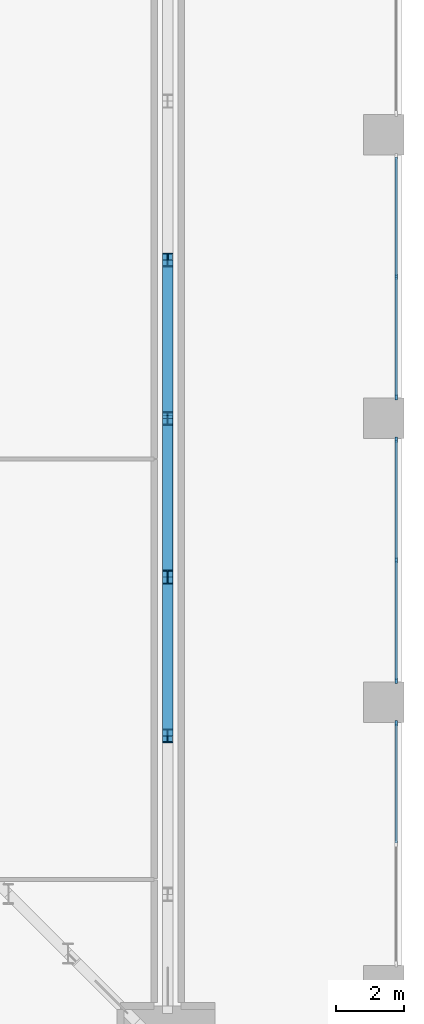
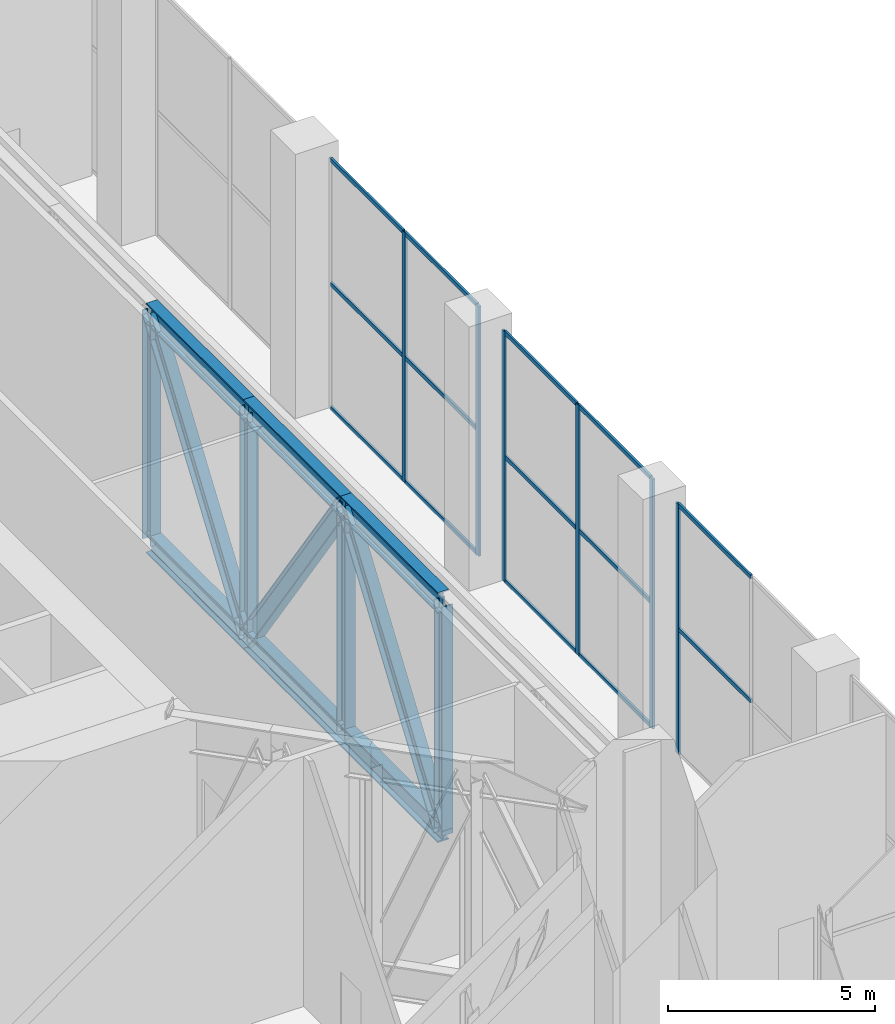
# One storey, part 6 of 21: 33 members, 3 elements without a shape of their own.
"""IFC4 building model written with IfcOpenShell, lengths in metres."""

from ifc_helpers import new_model, si_unit, direction, frame, origin, origin_2d, place, context, subcontext, project, spatial, rectangle, i_section, extrude, material, material_profile, profile_set, type_object, element, aggregate, save


model = new_model("IFC4")

# Units and contexts
model_context = context("Model", 3, precision=1e-05, world=origin(), true_north=direction((0.0, 1.0)))
body_context = subcontext(model_context, "Body", "Model", "MODEL_VIEW")
ifc_project = project(units=[si_unit("LENGTHUNIT", "METRE"), si_unit("AREAUNIT", "SQUARE_METRE"), si_unit("VOLUMEUNIT", "CUBIC_METRE"), si_unit("PLANEANGLEUNIT", "RADIAN"), si_unit("MASSUNIT", "GRAM", prefix="KILO")], contexts=[model_context])

# Site, building, storey
site_placement = place(None, origin())
site = spatial("IfcSite", under=ifc_project, at=site_placement, CompositionType="ELEMENT")
building_placement = place(site_placement, origin())
building = spatial("IfcBuilding", under=site, at=building_placement, Name="Khepri Terraces", CompositionType="ELEMENT")
storey_placement = place(building_placement, frame((0.0, 0.0, 126.0)))
storey = spatial("IfcBuildingStorey", under=building, at=storey_placement, Name="L30", CompositionType="ELEMENT", Elevation=126.0)

# Members
ifc_material_1 = material(Name="Steel S355", Category="steel")
ifc_material_profile_1 = material_profile(ifc_material_1, i_section(OverallWidth=0.304931640625, OverallDepth=0.6201171875, WebThickness=0.02099609375, FlangeThickness=0.0400390625, FilletRadius=0.027099609375, at=origin_2d()), Name="Steel S355", Category="steel")
ifc_profile_set_1 = profile_set([ifc_material_profile_1], Name="Steel S355")
member_type_1 = type_object("IfcMemberType", Name="Belt truss chord HEM 600", PredefinedType="CHORD", material=ifc_profile_set_1)
for number, where, z_axis, x_axis, name in (
    (1, (18.800048828125, -9.39990234375, 0.31005859375), (0.0, 1.0, 0.0), (-1.0, 0.0, 0.0), "Belt truss chord BT-30-E bottom 3"),
    (2, (18.800048828125, -9.39990234375, 7.070068359375), (0.0, 1.0, 0.0), (-1.0, 0.0, 0.0), "Belt truss chord BT-30-E top 3"),
    (3, (18.800048828125, -4.699951171875, 0.31005859375), (0.0, 1.0, 0.0), (-1.0, 0.0, 0.0), "Belt truss chord BT-30-E bottom 4"),
    (4, (18.800048828125, -4.699951171875, 7.070068359375), (0.0, 1.0, 0.0), (-1.0, 0.0, 0.0), "Belt truss chord BT-30-E top 4"),
    (5, (18.800048828125, 0.0, 0.31005859375), (0.0, 1.0, 0.0), (-1.0, 0.0, 0.0), "Belt truss chord BT-30-E bottom 5"),
    (6, (18.800048828125, 0.0, 7.070068359375), (0.0, 1.0, 0.0), (-1.0, 0.0, 0.0), "Belt truss chord BT-30-E top 5"),
):
    element("IfcMember", number, at=place(storey_placement, frame(where, z_axis=z_axis, x_axis=x_axis)), inside=storey, type_object=member_type_1, Name=name, PredefinedType="CHORD", context=body_context, shape_type="SweptSolid", body=[
        extrude(i_section(OverallWidth=0.304931640625, OverallDepth=0.6201171875, WebThickness=0.02099609375, FlangeThickness=0.0400390625, FilletRadius=0.027099609375, at=origin_2d()), origin(), (0.0, 0.0, 1.0), 4.699951171875),
    ])
ifc_material_profile_2 = material_profile(ifc_material_1, i_section(OverallWidth=0.300048828125, OverallDepth=0.5, WebThickness=0.014404296875, FlangeThickness=0.028076171875, FilletRadius=0.027099609375, at=origin_2d()), Name="Steel S355", Category="steel")
ifc_profile_set_2 = profile_set([ifc_material_profile_2], Name="Steel S355")
member_type_2 = type_object("IfcMemberType", Name="Belt truss diagonal HEB 500", PredefinedType="BRACE", material=ifc_profile_set_2)
for number, where, z_axis, x_axis, name in (
    (7, (18.800048828125, -9.39990234375, 0.31005859375), (0.0, 0.570846397071, 0.82105687437), (-1.0, 0.0, 0.0), "Belt truss diagonal BT-30-E 3"),
    (8, (18.800048828125, -4.699951171875, 7.070068359375), (0.0, 0.570846397071, -0.82105687437), (-1.0, 0.0, 0.0), "Belt truss diagonal BT-30-E 4"),
    (9, (18.800048828125, 0.0, 0.31005859375), (0.0, 0.570846397071, 0.82105687437), (-1.0, 0.0, 0.0), "Belt truss diagonal BT-30-E 5"),
):
    element("IfcMember", number, at=place(storey_placement, frame(where, z_axis=z_axis, x_axis=x_axis)), inside=storey, type_object=member_type_2, Name=name, PredefinedType="BRACE", context=body_context, shape_type="SweptSolid", body=[
        extrude(i_section(OverallWidth=0.300048828125, OverallDepth=0.5, WebThickness=0.014404296875, FlangeThickness=0.028076171875, FilletRadius=0.027099609375, at=origin_2d()), origin(), (0.0, 0.0, 1.0), 8.2333984375),
    ])
ifc_material_profile_3 = material_profile(ifc_material_1, i_section(OverallWidth=0.300048828125, OverallDepth=0.39990234375, WebThickness=0.013427734375, FlangeThickness=0.02392578125, FilletRadius=0.027099609375, at=origin_2d()), Name="Steel S355", Category="steel")
ifc_profile_set_3 = profile_set([ifc_material_profile_3], Name="Steel S355")
member_type_3 = type_object("IfcMemberType", Name="Belt truss post HEB 400", PredefinedType="POST", material=ifc_profile_set_3)
for number, where, z_axis, x_axis, name in (
    (10, (18.800048828125, -9.39990234375, 0.31005859375), (0.0, 0.0, 1.0), (1.0, 0.0, 0.0), "Belt truss post BT-30-E 2"),
    (11, (18.800048828125, -4.699951171875, 0.31005859375), (0.0, 0.0, 1.0), (1.0, 0.0, 0.0), "Belt truss post BT-30-E 3"),
    (12, (18.800048828125, 0.0, 0.31005859375), (0.0, 0.0, 1.0), (1.0, 0.0, 0.0), "Belt truss post BT-30-E 4"),
    (13, (18.800048828125, 4.699951171875, 0.31005859375), (0.0, 0.0, 1.0), (1.0, 0.0, 0.0), "Belt truss post BT-30-E 5"),
):
    element("IfcMember", number, at=place(storey_placement, frame(where, z_axis=z_axis, x_axis=x_axis)), inside=storey, type_object=member_type_3, Name=name, PredefinedType="POST", context=body_context, shape_type="SweptSolid", body=[
        extrude(i_section(OverallWidth=0.300048828125, OverallDepth=0.39990234375, WebThickness=0.013427734375, FlangeThickness=0.02392578125, FilletRadius=0.027099609375, at=origin_2d()), origin(), (0.0, 0.0, 1.0), 6.760009765625),
    ])

# Curtain wall, member
ifc_material_2 = material(Name="Anodised aluminium bronze curtain wall", Category="aluminium")
curtain_wall_type = type_object("IfcCurtainWallType", Name="CW-SYS3-SKY", PredefinedType="NOTDEFINED", material=ifc_material_2)
curtain_wall_1_placement = place(storey_placement, origin())
curtain_wall_1 = element("IfcCurtainWall", 14, at=curtain_wall_1_placement, inside=storey, type_object=curtain_wall_type, Name="Curtain wall CW3 L30 E", PredefinedType="NOTDEFINED")
ifc_material_3 = material(Name="Anodised aluminium bronze", Category="aluminium")
ifc_material_profile_4 = material_profile(ifc_material_3, rectangle(XDim=0.06005859375, YDim=0.159912109375, at=origin_2d()), Name="Anodised aluminium bronze", Category="aluminium")
ifc_profile_set_4 = profile_set([ifc_material_profile_4], Name="Anodised aluminium bronze")
member_type_4 = type_object("IfcMemberType", Name="CW-MULLION-60x160", PredefinedType="MULLION", material=ifc_profile_set_4)
member_1_placement = place(storey_placement, frame((25.570068359375, -9.030029296875, 0.0), z_axis=(0.0, 0.0, 1.0), x_axis=(-1.0, 0.0, 0.0)))
member_1 = element("IfcMember", 15, at=member_1_placement, type_object=member_type_4, Name="CW3 mullion 3", PredefinedType="MULLION", context=body_context, shape_type="SweptSolid", body=[
    extrude(rectangle(XDim=0.06005859375, YDim=0.159912109375, at=origin_2d()), origin(), (0.0, 0.0, 1.0), 7.3798828125),
])

# Curtain wall, members
curtain_wall_2_placement = place(storey_placement, origin())
curtain_wall_2 = element("IfcCurtainWall", 16, at=curtain_wall_2_placement, inside=storey, type_object=curtain_wall_type, Name="Curtain wall CW3 L30 E", PredefinedType="NOTDEFINED")
member_2_placement = place(storey_placement, frame((25.570068359375, -7.77001953125, 0.0), z_axis=(0.0, 0.0, 1.0), x_axis=(-1.0, 0.0, 0.0)))
member_2 = element("IfcMember", 17, at=member_2_placement, type_object=member_type_4, Name="CW3 mullion 1", PredefinedType="MULLION", context=body_context, shape_type="SweptSolid", body=[
    extrude(rectangle(XDim=0.06005859375, YDim=0.159912109375, at=origin_2d()), origin(), (0.0, 0.0, 1.0), 7.3798828125),
])
member_3_placement = place(storey_placement, frame((25.570068359375, -4.199951171875, 0.0), z_axis=(0.0, 0.0, 1.0), x_axis=(-1.0, 0.0, 0.0)))
member_3 = element("IfcMember", 18, at=member_3_placement, type_object=member_type_4, Name="CW3 mullion 2", PredefinedType="MULLION", context=body_context, shape_type="SweptSolid", body=[
    extrude(rectangle(XDim=0.06005859375, YDim=0.159912109375, at=origin_2d()), origin(), (0.0, 0.0, 1.0), 7.3798828125),
])
member_4_placement = place(storey_placement, frame((25.570068359375, -0.6298828125, 0.0), z_axis=(0.0, 0.0, 1.0), x_axis=(-1.0, 0.0, 0.0)))
member_4 = element("IfcMember", 19, at=member_4_placement, type_object=member_type_4, Name="CW3 mullion 3", PredefinedType="MULLION", context=body_context, shape_type="SweptSolid", body=[
    extrude(rectangle(XDim=0.06005859375, YDim=0.159912109375, at=origin_2d()), origin(), (0.0, 0.0, 1.0), 7.3798828125),
])

curtain_wall_3_placement = place(storey_placement, origin())
curtain_wall_3 = element("IfcCurtainWall", 20, at=curtain_wall_3_placement, inside=storey, type_object=curtain_wall_type, Name="Curtain wall CW3 L30 E", PredefinedType="NOTDEFINED")
member_5_placement = place(storey_placement, frame((25.570068359375, 0.6298828125, 0.0), z_axis=(0.0, 0.0, 1.0), x_axis=(-1.0, 0.0, 0.0)))
member_5 = element("IfcMember", 21, at=member_5_placement, type_object=member_type_4, Name="CW3 mullion 1", PredefinedType="MULLION", context=body_context, shape_type="SweptSolid", body=[
    extrude(rectangle(XDim=0.06005859375, YDim=0.159912109375, at=origin_2d()), origin(), (0.0, 0.0, 1.0), 7.3798828125),
])
member_6_placement = place(storey_placement, frame((25.570068359375, 4.199951171875, 0.0), z_axis=(0.0, 0.0, 1.0), x_axis=(-1.0, 0.0, 0.0)))
member_6 = element("IfcMember", 22, at=member_6_placement, type_object=member_type_4, Name="CW3 mullion 2", PredefinedType="MULLION", context=body_context, shape_type="SweptSolid", body=[
    extrude(rectangle(XDim=0.06005859375, YDim=0.159912109375, at=origin_2d()), origin(), (0.0, 0.0, 1.0), 7.3798828125),
])

# Member
ifc_material_profile_5 = material_profile(ifc_material_3, rectangle(XDim=0.06005859375, YDim=0.1201171875, at=origin_2d()), Name="Anodised aluminium bronze", Category="aluminium")
ifc_profile_set_5 = profile_set([ifc_material_profile_5], Name="Anodised aluminium bronze")
member_type_5 = type_object("IfcMemberType", Name="CW-TRANSOM-60x120", PredefinedType="USERDEFINED", material=ifc_profile_set_5)
member_7_placement = place(storey_placement, frame((25.570068359375, -12.570068359375, 3.68994140625), z_axis=(0.0, 1.0, 0.0), x_axis=(-1.0, 0.0, 0.0)))
member_7 = element("IfcMember", 23, at=member_7_placement, type_object=member_type_5, Name="CW3 transom 2.2", ObjectType="TRANSOM", PredefinedType="USERDEFINED", context=body_context, shape_type="SweptSolid", body=[
    extrude(rectangle(XDim=0.06005859375, YDim=0.1201171875, at=origin_2d()), origin(), (0.0, 0.0, 1.0), 3.510009765625),
])

member_8_placement = place(storey_placement, frame((25.570068359375, -12.570068359375, 7.35009765625), z_axis=(0.0, 1.0, 0.0), x_axis=(-1.0, 0.0, 0.0)))
member_8 = element("IfcMember", 24, at=member_8_placement, type_object=member_type_5, Name="CW3 transom 2.3", ObjectType="TRANSOM", PredefinedType="USERDEFINED", context=body_context, shape_type="SweptSolid", body=[
    extrude(rectangle(XDim=0.06005859375, YDim=0.1201171875, at=origin_2d()), origin(), (0.0, 0.0, 1.0), 3.510009765625),
])

aggregate(curtain_wall_1, [member_1, member_7, member_8])

member_9_placement = place(storey_placement, frame((25.570068359375, -7.739990234375, 0.030029296875), z_axis=(0.0, 1.0, 0.0), x_axis=(-1.0, 0.0, 0.0)))
member_9 = element("IfcMember", 25, at=member_9_placement, type_object=member_type_5, Name="CW3 transom 1.1", ObjectType="TRANSOM", PredefinedType="USERDEFINED", context=body_context, shape_type="SweptSolid", body=[
    extrude(rectangle(XDim=0.06005859375, YDim=0.1201171875, at=origin_2d()), origin(), (0.0, 0.0, 1.0), 3.510009765625),
])

member_10_placement = place(storey_placement, frame((25.570068359375, -7.739990234375, 3.68994140625), z_axis=(0.0, 1.0, 0.0), x_axis=(-1.0, 0.0, 0.0)))
member_10 = element("IfcMember", 26, at=member_10_placement, type_object=member_type_5, Name="CW3 transom 1.2", ObjectType="TRANSOM", PredefinedType="USERDEFINED", context=body_context, shape_type="SweptSolid", body=[
    extrude(rectangle(XDim=0.06005859375, YDim=0.1201171875, at=origin_2d()), origin(), (0.0, 0.0, 1.0), 3.510009765625),
])

member_11_placement = place(storey_placement, frame((25.570068359375, -7.739990234375, 7.35009765625), z_axis=(0.0, 1.0, 0.0), x_axis=(-1.0, 0.0, 0.0)))
member_11 = element("IfcMember", 27, at=member_11_placement, type_object=member_type_5, Name="CW3 transom 1.3", ObjectType="TRANSOM", PredefinedType="USERDEFINED", context=body_context, shape_type="SweptSolid", body=[
    extrude(rectangle(XDim=0.06005859375, YDim=0.1201171875, at=origin_2d()), origin(), (0.0, 0.0, 1.0), 3.510009765625),
])

member_12_placement = place(storey_placement, frame((25.570068359375, -4.169921875, 0.030029296875), z_axis=(0.0, 1.0, 0.0), x_axis=(-1.0, 0.0, 0.0)))
member_12 = element("IfcMember", 28, at=member_12_placement, type_object=member_type_5, Name="CW3 transom 2.1", ObjectType="TRANSOM", PredefinedType="USERDEFINED", context=body_context, shape_type="SweptSolid", body=[
    extrude(rectangle(XDim=0.06005859375, YDim=0.1201171875, at=origin_2d()), origin(), (0.0, 0.0, 1.0), 3.510009765625),
])

member_13_placement = place(storey_placement, frame((25.570068359375, -4.169921875, 3.68994140625), z_axis=(0.0, 1.0, 0.0), x_axis=(-1.0, 0.0, 0.0)))
member_13 = element("IfcMember", 29, at=member_13_placement, type_object=member_type_5, Name="CW3 transom 2.2", ObjectType="TRANSOM", PredefinedType="USERDEFINED", context=body_context, shape_type="SweptSolid", body=[
    extrude(rectangle(XDim=0.06005859375, YDim=0.1201171875, at=origin_2d()), origin(), (0.0, 0.0, 1.0), 3.510009765625),
])

member_14_placement = place(storey_placement, frame((25.570068359375, -4.169921875, 7.35009765625), z_axis=(0.0, 1.0, 0.0), x_axis=(-1.0, 0.0, 0.0)))
member_14 = element("IfcMember", 30, at=member_14_placement, type_object=member_type_5, Name="CW3 transom 2.3", ObjectType="TRANSOM", PredefinedType="USERDEFINED", context=body_context, shape_type="SweptSolid", body=[
    extrude(rectangle(XDim=0.06005859375, YDim=0.1201171875, at=origin_2d()), origin(), (0.0, 0.0, 1.0), 3.510009765625),
])

aggregate(curtain_wall_2, [member_2, member_3, member_4, member_9, member_10, member_11, member_12, member_13, member_14])

member_15_placement = place(storey_placement, frame((25.570068359375, 0.659912109375, 0.030029296875), z_axis=(0.0, 1.0, 0.0), x_axis=(-1.0, 0.0, 0.0)))
member_15 = element("IfcMember", 31, at=member_15_placement, type_object=member_type_5, Name="CW3 transom 1.1", ObjectType="TRANSOM", PredefinedType="USERDEFINED", context=body_context, shape_type="SweptSolid", body=[
    extrude(rectangle(XDim=0.06005859375, YDim=0.1201171875, at=origin_2d()), origin(), (0.0, 0.0, 1.0), 3.510009765625),
])

member_16_placement = place(storey_placement, frame((25.570068359375, 0.659912109375, 3.68994140625), z_axis=(0.0, 1.0, 0.0), x_axis=(-1.0, 0.0, 0.0)))
member_16 = element("IfcMember", 32, at=member_16_placement, type_object=member_type_5, Name="CW3 transom 1.2", ObjectType="TRANSOM", PredefinedType="USERDEFINED", context=body_context, shape_type="SweptSolid", body=[
    extrude(rectangle(XDim=0.06005859375, YDim=0.1201171875, at=origin_2d()), origin(), (0.0, 0.0, 1.0), 3.510009765625),
])

member_17_placement = place(storey_placement, frame((25.570068359375, 0.659912109375, 7.35009765625), z_axis=(0.0, 1.0, 0.0), x_axis=(-1.0, 0.0, 0.0)))
member_17 = element("IfcMember", 33, at=member_17_placement, type_object=member_type_5, Name="CW3 transom 1.3", ObjectType="TRANSOM", PredefinedType="USERDEFINED", context=body_context, shape_type="SweptSolid", body=[
    extrude(rectangle(XDim=0.06005859375, YDim=0.1201171875, at=origin_2d()), origin(), (0.0, 0.0, 1.0), 3.510009765625),
])

member_18_placement = place(storey_placement, frame((25.570068359375, 4.22998046875, 0.030029296875), z_axis=(0.0, 1.0, 0.0), x_axis=(-1.0, 0.0, 0.0)))
member_18 = element("IfcMember", 34, at=member_18_placement, type_object=member_type_5, Name="CW3 transom 2.1", ObjectType="TRANSOM", PredefinedType="USERDEFINED", context=body_context, shape_type="SweptSolid", body=[
    extrude(rectangle(XDim=0.06005859375, YDim=0.1201171875, at=origin_2d()), origin(), (0.0, 0.0, 1.0), 3.510009765625),
])

member_19_placement = place(storey_placement, frame((25.570068359375, 4.22998046875, 3.68994140625), z_axis=(0.0, 1.0, 0.0), x_axis=(-1.0, 0.0, 0.0)))
member_19 = element("IfcMember", 35, at=member_19_placement, type_object=member_type_5, Name="CW3 transom 2.2", ObjectType="TRANSOM", PredefinedType="USERDEFINED", context=body_context, shape_type="SweptSolid", body=[
    extrude(rectangle(XDim=0.06005859375, YDim=0.1201171875, at=origin_2d()), origin(), (0.0, 0.0, 1.0), 3.510009765625),
])

member_20_placement = place(storey_placement, frame((25.570068359375, 4.22998046875, 7.35009765625), z_axis=(0.0, 1.0, 0.0), x_axis=(-1.0, 0.0, 0.0)))
member_20 = element("IfcMember", 36, at=member_20_placement, type_object=member_type_5, Name="CW3 transom 2.3", ObjectType="TRANSOM", PredefinedType="USERDEFINED", context=body_context, shape_type="SweptSolid", body=[
    extrude(rectangle(XDim=0.06005859375, YDim=0.1201171875, at=origin_2d()), origin(), (0.0, 0.0, 1.0), 3.510009765625),
])

aggregate(curtain_wall_3, [member_5, member_6, member_15, member_16, member_17, member_18, member_19, member_20])

save(model, "model.ifc")
